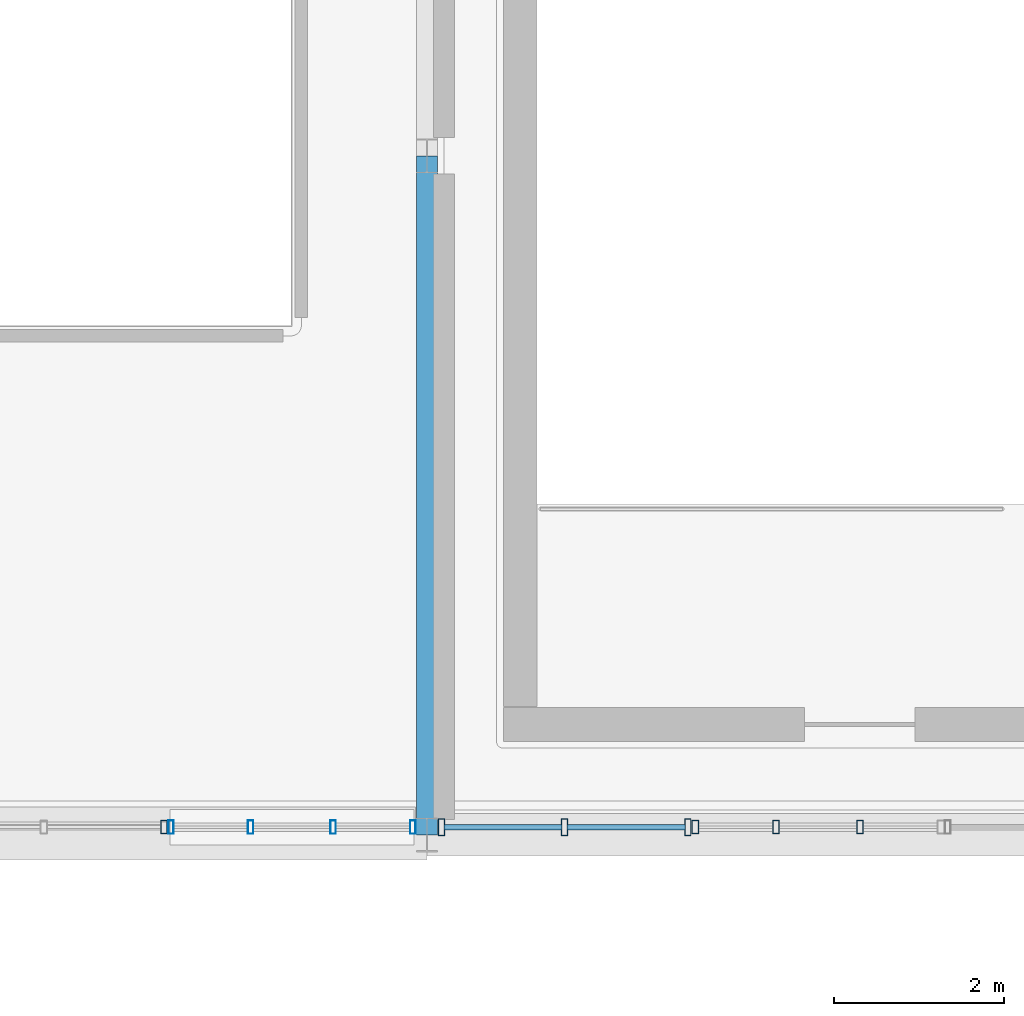
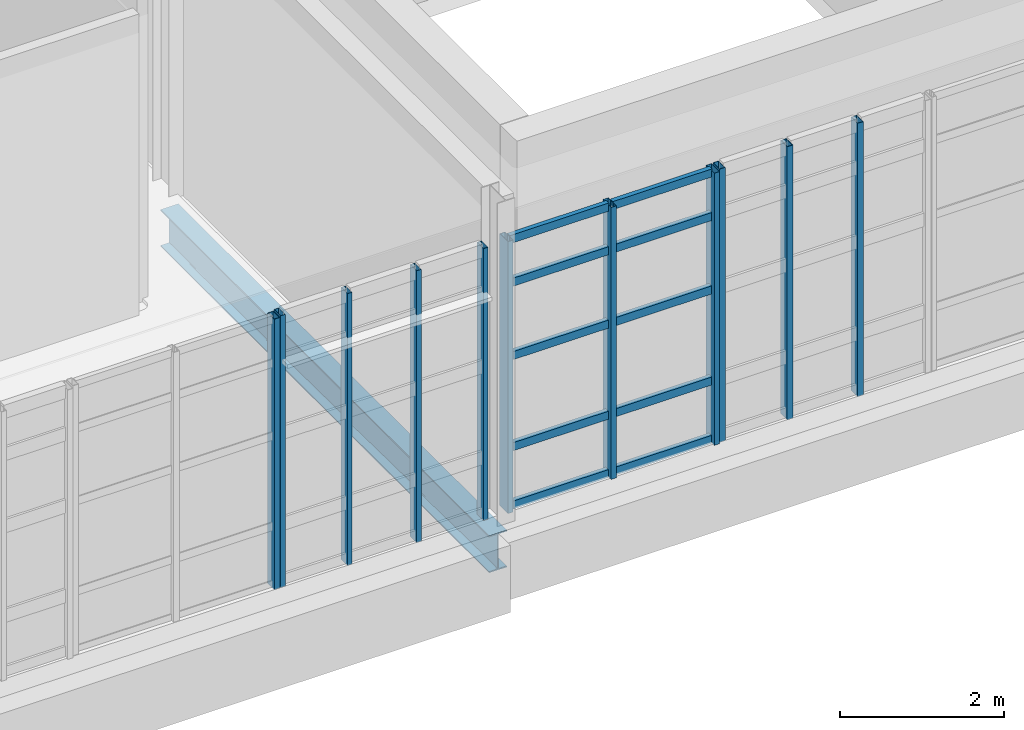
# One storey, part 52 of 102: 21 members, 1 beam, 4 elements without a shape of their own.
"""IFC4 building model written with IfcOpenShell, lengths in metres."""

from ifc_helpers import new_model, si_unit, derived_unit, direction, frame, origin, origin_2d, place, context, subcontext, project, spatial, hollow_rectangle, i_section, extrude, material, layer, layer_set, material_profile, profile_set, type_object, element, aggregate, save


model = new_model("IFC4")

# Units and contexts
model_context = context("Model", 3, precision=1e-05, world=origin(), true_north=direction((0.0, 1.0)))
body_context = subcontext(model_context, "Body", "Model", "MODEL_VIEW")
ifc_project = project(units=[si_unit("LENGTHUNIT", "METRE"), si_unit("AREAUNIT", "SQUARE_METRE"), si_unit("VOLUMEUNIT", "CUBIC_METRE"), si_unit("PLANEANGLEUNIT", "RADIAN"), si_unit("MASSUNIT", "GRAM", prefix="KILO"), derived_unit("THERMALTRANSMITTANCEUNIT", [(si_unit("POWERUNIT", "WATT"), 1), (si_unit("LENGTHUNIT", "METRE"), -2), (si_unit("THERMODYNAMICTEMPERATUREUNIT", "KELVIN"), -1)])], contexts=[model_context])

# Site, building, storey
site_placement = place(None, origin())
site = spatial("IfcSite", under=ifc_project, at=site_placement, CompositionType="ELEMENT")
building_placement = place(site_placement, origin())
building = spatial("IfcBuilding", under=site, at=building_placement, Name="Nallur Shell Playhouse", CompositionType="ELEMENT")
storey_placement = place(building_placement, frame((0.0, 0.0, 15.0)))
storey = spatial("IfcBuildingStorey", under=building, at=storey_placement, Name="L04", CompositionType="ELEMENT", Elevation=15.0)

# Beam
ifc_material_1 = material(Name="Steel E350", Category="steel")
ifc_material_profile_1 = material_profile(ifc_material_1, i_section(OverallWidth=0.25, OverallDepth=0.550048828125, WebThickness=0.010498046875, FlangeThickness=0.017578125, FilletRadius=0.01611328125, at=origin_2d()), Name="ISWB 550")
ifc_profile_set_1 = profile_set([ifc_material_profile_1], Name="Steel E350")
beam_type = type_object("IfcBeamType", Name="BM-ST-ISWB550", PredefinedType="BEAM", material=ifc_profile_set_1)
beam_placement = place(storey_placement, frame((147.60009765625, 24.0, -0.534912109375), z_axis=(0.0, 1.0, 0.0), x_axis=(-1.0, 0.0, 0.0)))
element("IfcBeam", 1, at=beam_placement, inside=storey, type_object=beam_type, Name="L04 girder Y-18-866", PredefinedType="BEAM", context=body_context, shape_type="SweptSolid", body=[
    extrude(i_section(OverallWidth=0.25, OverallDepth=0.550048828125, WebThickness=0.010498046875, FlangeThickness=0.017578125, FilletRadius=0.01611328125, at=origin_2d()), origin(), (0.0, 0.0, 1.0), 8.0),
])

# Curtain wall, members
ifc_material_2 = material(Name="Anodised Aluminium Double-Glazed Facade System", Category="aluminium")
ifc_layer_1 = layer(ifc_material_2, 0.16796875)
ifc_layer_set_1 = layer_set([ifc_layer_1], Name="Anodised Aluminium Double-Glazed Facade System")
curtain_wall_type_1 = type_object("IfcCurtainWallType", Name="CW-UNIT-26", PredefinedType="NOTDEFINED", material=ifc_layer_set_1)
curtain_wall_1_placement = place(storey_placement, origin())
curtain_wall_1 = element("IfcCurtainWall", 2, at=curtain_wall_1_placement, inside=storey, type_object=curtain_wall_type_1, Name="Unitised curtain wall CW-122 (L04)", PredefinedType="NOTDEFINED")
ifc_material_3 = material(Name="Aluminium Alloy 6063-T6 Mullion", Category="aluminium")
ifc_material_profile_2 = material_profile(ifc_material_3, hollow_rectangle(XDim=0.080078125, YDim=0.159912109375, WallThickness=0.006103515625, at=origin_2d()), Name="RHS 160x80x6")
ifc_profile_set_2 = profile_set([ifc_material_profile_2], Name="Aluminium Alloy 6063-T6 Mullion")
member_type_1 = type_object("IfcMemberType", Name="MB-CW-MUL150", PredefinedType="MULLION", material=ifc_profile_set_2)
member_1_placement = place(storey_placement, frame((152.703857421875, 24.090087890625, -0.014892578125), z_axis=(0.0, 0.0, 1.0), x_axis=(-1.0, 0.0, 0.0)))
member_1 = element("IfcMember", 3, at=member_1_placement, type_object=member_type_1, Name="CW-26 mullion 2", PredefinedType="MULLION", context=body_context, shape_type="SweptSolid", body=[
    extrude(hollow_rectangle(XDim=0.080078125, YDim=0.159912109375, WallThickness=0.006103515625, at=origin_2d()), origin(), (0.0, 0.0, 1.0), 4.06396484375),
])
member_2_placement = place(storey_placement, frame((151.712646484375, 24.090087890625, -0.014892578125), z_axis=(0.0, 0.0, 1.0), x_axis=(-1.0, 0.0, 0.0)))
member_2 = element("IfcMember", 4, at=member_2_placement, type_object=member_type_1, Name="CW-26 mullion 3", PredefinedType="MULLION", context=body_context, shape_type="SweptSolid", body=[
    extrude(hollow_rectangle(XDim=0.080078125, YDim=0.159912109375, WallThickness=0.006103515625, at=origin_2d()), origin(), (0.0, 0.0, 1.0), 4.06396484375),
])
member_3_placement = place(storey_placement, frame((150.761474609375, 24.090087890625, -0.014892578125), z_axis=(0.0, 0.0, 1.0), x_axis=(-1.0, 0.0, 0.0)))
member_3 = element("IfcMember", 5, at=member_3_placement, type_object=member_type_1, Name="CW-26 mullion 4", PredefinedType="MULLION", context=body_context, shape_type="SweptSolid", body=[
    extrude(hollow_rectangle(XDim=0.080078125, YDim=0.159912109375, WallThickness=0.006103515625, at=origin_2d()), origin(), (0.0, 0.0, 1.0), 4.06396484375),
])
aggregate(curtain_wall_1, [member_1, member_2, member_3])

# Curtain wall, member
ifc_layer_2 = layer(ifc_material_2, 0.179931640625)
ifc_layer_set_2 = layer_set([ifc_layer_2], Name="Anodised Aluminium Double-Glazed Facade System")
curtain_wall_type_2 = type_object("IfcCurtainWallType", Name="CW-UNIT-29", PredefinedType="NOTDEFINED", material=ifc_layer_set_2)
curtain_wall_2_placement = place(storey_placement, origin())
curtain_wall_2 = element("IfcCurtainWall", 6, at=curtain_wall_2_placement, inside=storey, type_object=curtain_wall_type_2, Name="Unitised curtain wall CW-125 (L04)", PredefinedType="NOTDEFINED")
member_4_placement = place(storey_placement, frame((144.5009765625, 24.090087890625, -0.014892578125), z_axis=(0.0, 0.0, 1.0), x_axis=(-1.0, 0.0, 0.0)))
member_4 = element("IfcMember", 7, at=member_4_placement, type_object=member_type_1, Name="CW-29 mullion 1", PredefinedType="MULLION", context=body_context, shape_type="SweptSolid", body=[
    extrude(hollow_rectangle(XDim=0.080078125, YDim=0.159912109375, WallThickness=0.006103515625, at=origin_2d()), origin(), (0.0, 0.0, 1.0), 4.02392578125),
])
aggregate(curtain_wall_2, [member_4])

# Curtain wall, members
ifc_layer_3 = layer(ifc_material_2, 0.176025390625)
ifc_layer_set_3 = layer_set([ifc_layer_3], Name="Anodised Aluminium Double-Glazed Facade System")
curtain_wall_type_3 = type_object("IfcCurtainWallType", Name="CW-UNIT-28", PredefinedType="NOTDEFINED", material=ifc_layer_set_3)
curtain_wall_3_placement = place(storey_placement, origin())
curtain_wall_3 = element("IfcCurtainWall", 8, at=curtain_wall_3_placement, inside=storey, type_object=curtain_wall_type_3, Name="Unitised curtain wall CW-124 (L04)", PredefinedType="NOTDEFINED")
ifc_material_profile_3 = material_profile(ifc_material_3, hollow_rectangle(XDim=0.06494140625, YDim=0.159912109375, WallThickness=0.00390625, at=origin_2d()), Name="ALU 65x160x4")
ifc_profile_set_3 = profile_set([ifc_material_profile_3], Name="Aluminium Alloy 6063-T6 Mullion")
member_type_2 = type_object("IfcMemberType", Name="MB-CW-MUL160", PredefinedType="MULLION", material=ifc_profile_set_3)
member_5_placement = place(storey_placement, frame((147.4345703125, 24.090087890625, -0.014892578125), z_axis=(0.0, 0.0, 1.0), x_axis=(-1.0, 0.0, 0.0)))
member_5 = element("IfcMember", 9, at=member_5_placement, type_object=member_type_2, Name="CW-28 mullion 1", PredefinedType="MULLION", context=body_context, shape_type="SweptSolid", body=[
    extrude(hollow_rectangle(XDim=0.06494140625, YDim=0.159912109375, WallThickness=0.00390625, at=origin_2d()), origin(), (0.0, 0.0, 1.0), 4.0439453125),
])
member_6_placement = place(storey_placement, frame((146.4951171875, 24.090087890625, -0.014892578125), z_axis=(0.0, 0.0, 1.0), x_axis=(-1.0, 0.0, 0.0)))
member_6 = element("IfcMember", 10, at=member_6_placement, type_object=member_type_2, Name="CW-28 mullion 2", PredefinedType="MULLION", context=body_context, shape_type="SweptSolid", body=[
    extrude(hollow_rectangle(XDim=0.06494140625, YDim=0.159912109375, WallThickness=0.00390625, at=origin_2d()), origin(), (0.0, 0.0, 1.0), 4.0439453125),
])
member_7_placement = place(storey_placement, frame((145.52294921875, 24.090087890625, -0.014892578125), z_axis=(0.0, 0.0, 1.0), x_axis=(-1.0, 0.0, 0.0)))
member_7 = element("IfcMember", 11, at=member_7_placement, type_object=member_type_2, Name="CW-28 mullion 3", PredefinedType="MULLION", context=body_context, shape_type="SweptSolid", body=[
    extrude(hollow_rectangle(XDim=0.06494140625, YDim=0.159912109375, WallThickness=0.00390625, at=origin_2d()), origin(), (0.0, 0.0, 1.0), 4.0439453125),
])
member_8_placement = place(storey_placement, frame((144.58349609375, 24.090087890625, -0.014892578125), z_axis=(0.0, 0.0, 1.0), x_axis=(-1.0, 0.0, 0.0)))
member_8 = element("IfcMember", 12, at=member_8_placement, type_object=member_type_2, Name="CW-28 mullion 4", PredefinedType="MULLION", context=body_context, shape_type="SweptSolid", body=[
    extrude(hollow_rectangle(XDim=0.06494140625, YDim=0.159912109375, WallThickness=0.00390625, at=origin_2d()), origin(), (0.0, 0.0, 1.0), 4.0439453125),
])
aggregate(curtain_wall_3, [member_5, member_6, member_7, member_8])

ifc_layer_4 = layer(ifc_material_2, 0.172119140625)
ifc_layer_set_4 = layer_set([ifc_layer_4], Name="Anodised Aluminium Double-Glazed Facade System")
curtain_wall_type_4 = type_object("IfcCurtainWallType", Name="CW-UNIT-27", PredefinedType="NOTDEFINED", material=ifc_layer_set_4)
curtain_wall_4_placement = place(storey_placement, origin())
curtain_wall_4 = element("IfcCurtainWall", 13, at=curtain_wall_4_placement, inside=storey, type_object=curtain_wall_type_4, Name="Unitised curtain wall CW-123 (L04)", PredefinedType="NOTDEFINED")
ifc_material_profile_4 = material_profile(ifc_material_3, hollow_rectangle(XDim=0.074951171875, YDim=0.199951171875, WallThickness=0.0048828125, at=origin_2d()), Name="ALU 75x200x5")
ifc_profile_set_4 = profile_set([ifc_material_profile_4], Name="Aluminium Alloy 6063-T6 Mullion")
member_type_3 = type_object("IfcMemberType", Name="MB-CW-MUL180", PredefinedType="MULLION", material=ifc_profile_set_4)
member_9_placement = place(storey_placement, frame((150.674072265625, 24.090087890625, -0.014892578125), z_axis=(0.0, 0.0, 1.0), x_axis=(-1.0, 0.0, 0.0)))
member_9 = element("IfcMember", 14, at=member_9_placement, type_object=member_type_3, Name="CW-27 mullion 1", PredefinedType="MULLION", context=body_context, shape_type="SweptSolid", body=[
    extrude(hollow_rectangle(XDim=0.074951171875, YDim=0.199951171875, WallThickness=0.0048828125, at=origin_2d()), origin(), (0.0, 0.0, 1.0), 4.0439453125),
])
member_10_placement = place(storey_placement, frame((149.22216796875, 24.090087890625, -0.014892578125), z_axis=(0.0, 0.0, 1.0), x_axis=(-1.0, 0.0, 0.0)))
member_10 = element("IfcMember", 15, at=member_10_placement, type_object=member_type_3, Name="CW-27 mullion 2", PredefinedType="MULLION", context=body_context, shape_type="SweptSolid", body=[
    extrude(hollow_rectangle(XDim=0.074951171875, YDim=0.199951171875, WallThickness=0.0048828125, at=origin_2d()), origin(), (0.0, 0.0, 1.0), 4.0439453125),
])
member_11_placement = place(storey_placement, frame((147.7705078125, 24.090087890625, -0.014892578125), z_axis=(0.0, 0.0, 1.0), x_axis=(-1.0, 0.0, 0.0)))
member_11 = element("IfcMember", 16, at=member_11_placement, type_object=member_type_3, Name="CW-27 mullion 3", PredefinedType="MULLION", context=body_context, shape_type="SweptSolid", body=[
    extrude(hollow_rectangle(XDim=0.074951171875, YDim=0.199951171875, WallThickness=0.0048828125, at=origin_2d()), origin(), (0.0, 0.0, 1.0), 4.0439453125),
])
ifc_material_4 = material(Name="Aluminium Alloy 6063-T6 Transom", Category="aluminium")
ifc_material_profile_5 = material_profile(ifc_material_4, hollow_rectangle(XDim=0.06494140625, YDim=0.1201171875, WallThickness=0.00390625, at=origin_2d()), Name="ALU 65x120x4")
ifc_profile_set_5 = profile_set([ifc_material_profile_5], Name="Aluminium Alloy 6063-T6 Transom")
member_type_4 = type_object("IfcMemberType", Name="MB-CW-TRN120", PredefinedType="USERDEFINED", material=ifc_profile_set_5)
member_12_placement = place(storey_placement, frame((150.64453125, 24.090087890625, 0.032470703125), z_axis=(-1.0, 0.0, 0.0), x_axis=(0.0, -1.0, 0.0)))
member_12 = element("IfcMember", 17, at=member_12_placement, type_object=member_type_4, Name="CW-27 transom 1.1", ObjectType="TRANSOM", PredefinedType="USERDEFINED", context=body_context, shape_type="SweptSolid", body=[
    extrude(hollow_rectangle(XDim=0.06494140625, YDim=0.1201171875, WallThickness=0.00390625, at=origin_2d()), origin(), (0.0, 0.0, 1.0), 1.392822265625),
])
member_13_placement = place(storey_placement, frame((150.64453125, 24.090087890625, 0.89990234375), z_axis=(-1.0, 0.0, 0.0), x_axis=(0.0, -1.0, 0.0)))
member_13 = element("IfcMember", 18, at=member_13_placement, type_object=member_type_4, Name="CW-27 transom 1.2", ObjectType="TRANSOM", PredefinedType="USERDEFINED", context=body_context, shape_type="SweptSolid", body=[
    extrude(hollow_rectangle(XDim=0.06494140625, YDim=0.1201171875, WallThickness=0.00390625, at=origin_2d()), origin(), (0.0, 0.0, 1.0), 1.392822265625),
])
member_14_placement = place(storey_placement, frame((150.64453125, 24.090087890625, 2.25390625), z_axis=(-1.0, 0.0, 0.0), x_axis=(0.0, -1.0, 0.0)))
member_14 = element("IfcMember", 19, at=member_14_placement, type_object=member_type_4, Name="CW-27 transom 1.3", ObjectType="TRANSOM", PredefinedType="USERDEFINED", context=body_context, shape_type="SweptSolid", body=[
    extrude(hollow_rectangle(XDim=0.06494140625, YDim=0.1201171875, WallThickness=0.00390625, at=origin_2d()), origin(), (0.0, 0.0, 1.0), 1.392822265625),
])
member_15_placement = place(storey_placement, frame((150.64453125, 24.090087890625, 3.344970703125), z_axis=(-1.0, 0.0, 0.0), x_axis=(0.0, -1.0, 0.0)))
member_15 = element("IfcMember", 20, at=member_15_placement, type_object=member_type_4, Name="CW-27 transom 1.4", ObjectType="TRANSOM", PredefinedType="USERDEFINED", context=body_context, shape_type="SweptSolid", body=[
    extrude(hollow_rectangle(XDim=0.06494140625, YDim=0.1201171875, WallThickness=0.00390625, at=origin_2d()), origin(), (0.0, 0.0, 1.0), 1.392822265625),
])
member_16_placement = place(storey_placement, frame((150.64453125, 24.090087890625, 3.992431640625), z_axis=(-1.0, 0.0, 0.0), x_axis=(0.0, -1.0, 0.0)))
member_16 = element("IfcMember", 21, at=member_16_placement, type_object=member_type_4, Name="CW-27 transom 1.5", ObjectType="TRANSOM", PredefinedType="USERDEFINED", context=body_context, shape_type="SweptSolid", body=[
    extrude(hollow_rectangle(XDim=0.06494140625, YDim=0.1201171875, WallThickness=0.00390625, at=origin_2d()), origin(), (0.0, 0.0, 1.0), 1.392822265625),
])
member_17_placement = place(storey_placement, frame((149.19287109375, 24.090087890625, 0.032470703125), z_axis=(-1.0, 0.0, 0.0), x_axis=(0.0, -1.0, 0.0)))
member_17 = element("IfcMember", 22, at=member_17_placement, type_object=member_type_4, Name="CW-27 transom 2.1", ObjectType="TRANSOM", PredefinedType="USERDEFINED", context=body_context, shape_type="SweptSolid", body=[
    extrude(hollow_rectangle(XDim=0.06494140625, YDim=0.1201171875, WallThickness=0.00390625, at=origin_2d()), origin(), (0.0, 0.0, 1.0), 1.392822265625),
])
member_18_placement = place(storey_placement, frame((149.19287109375, 24.090087890625, 0.89990234375), z_axis=(-1.0, 0.0, 0.0), x_axis=(0.0, -1.0, 0.0)))
member_18 = element("IfcMember", 23, at=member_18_placement, type_object=member_type_4, Name="CW-27 transom 2.2", ObjectType="TRANSOM", PredefinedType="USERDEFINED", context=body_context, shape_type="SweptSolid", body=[
    extrude(hollow_rectangle(XDim=0.06494140625, YDim=0.1201171875, WallThickness=0.00390625, at=origin_2d()), origin(), (0.0, 0.0, 1.0), 1.392822265625),
])
member_19_placement = place(storey_placement, frame((149.19287109375, 24.090087890625, 2.25390625), z_axis=(-1.0, 0.0, 0.0), x_axis=(0.0, -1.0, 0.0)))
member_19 = element("IfcMember", 24, at=member_19_placement, type_object=member_type_4, Name="CW-27 transom 2.3", ObjectType="TRANSOM", PredefinedType="USERDEFINED", context=body_context, shape_type="SweptSolid", body=[
    extrude(hollow_rectangle(XDim=0.06494140625, YDim=0.1201171875, WallThickness=0.00390625, at=origin_2d()), origin(), (0.0, 0.0, 1.0), 1.392822265625),
])
member_20_placement = place(storey_placement, frame((149.19287109375, 24.090087890625, 3.344970703125), z_axis=(-1.0, 0.0, 0.0), x_axis=(0.0, -1.0, 0.0)))
member_20 = element("IfcMember", 25, at=member_20_placement, type_object=member_type_4, Name="CW-27 transom 2.4", ObjectType="TRANSOM", PredefinedType="USERDEFINED", context=body_context, shape_type="SweptSolid", body=[
    extrude(hollow_rectangle(XDim=0.06494140625, YDim=0.1201171875, WallThickness=0.00390625, at=origin_2d()), origin(), (0.0, 0.0, 1.0), 1.392822265625),
])
member_21_placement = place(storey_placement, frame((149.19287109375, 24.090087890625, 3.992431640625), z_axis=(-1.0, 0.0, 0.0), x_axis=(0.0, -1.0, 0.0)))
member_21 = element("IfcMember", 26, at=member_21_placement, type_object=member_type_4, Name="CW-27 transom 2.5", ObjectType="TRANSOM", PredefinedType="USERDEFINED", context=body_context, shape_type="SweptSolid", body=[
    extrude(hollow_rectangle(XDim=0.06494140625, YDim=0.1201171875, WallThickness=0.00390625, at=origin_2d()), origin(), (0.0, 0.0, 1.0), 1.392822265625),
])
aggregate(curtain_wall_4, [member_9, member_10, member_11, member_12, member_13, member_14, member_15, member_16, member_17, member_18, member_19, member_20, member_21])

save(model, "model.ifc")
